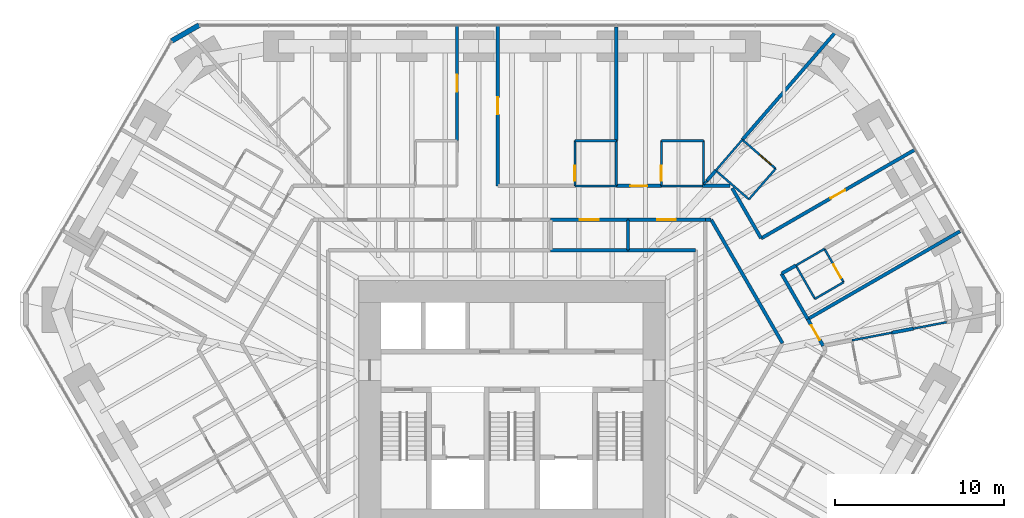
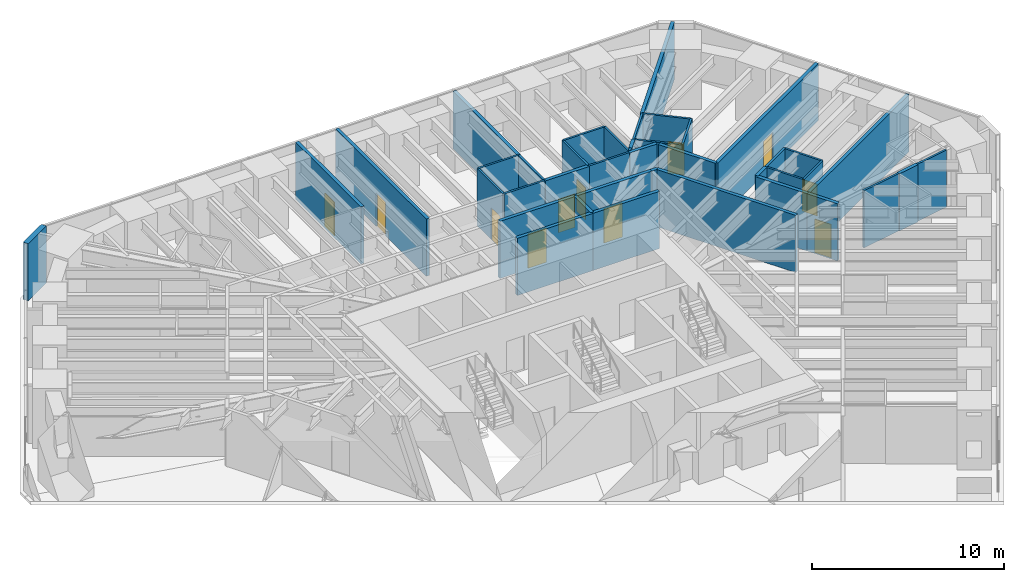
# One storey, part 15 of 17: 41 walls, 11 doors, 11 openings.
"""IFC4 building model written with IfcOpenShell, lengths in metres."""

from ifc_helpers import new_model, si_unit, direction, frame, frame_2d, origin, place, context, subcontext, project, spatial, rectangle, extrude, material, layer, layer_set, type_object, element, fill, save


model = new_model("IFC4")

# Units and contexts
model_context = context("Model", 3, precision=1e-05, world=origin(), true_north=direction((0.0, 1.0)))
body_context = subcontext(model_context, "Body", "Model", "MODEL_VIEW")
ifc_project = project(units=[si_unit("LENGTHUNIT", "METRE"), si_unit("AREAUNIT", "SQUARE_METRE"), si_unit("VOLUMEUNIT", "CUBIC_METRE"), si_unit("PLANEANGLEUNIT", "RADIAN"), si_unit("MASSUNIT", "GRAM", prefix="KILO")], contexts=[model_context])

# Site, building, storey
site_placement = place(None, origin())
site = spatial("IfcSite", under=ifc_project, at=site_placement, CompositionType="ELEMENT")
building_placement = place(site_placement, origin())
building = spatial("IfcBuilding", under=site, at=building_placement, Name="Sandreach Pilgrim Tower", CompositionType="ELEMENT")
storey_placement = place(building_placement, frame((0.0, 0.0, 119.60009765625)))
storey = spatial("IfcBuildingStorey", under=building, at=storey_placement, Name="L29", CompositionType="ELEMENT", Elevation=119.60009765625)

# Wall, opening, door
ifc_material_1 = material(Name="Moisture-resistant gypsum board on steel studs", Category="steel")
ifc_layer_1 = layer(ifc_material_1, 0.1201171875)
ifc_layer_set_1 = layer_set([ifc_layer_1], Name="Bathroom partition 120")
wall_type_1 = type_object("IfcWallType", Name="Bathroom partition 120", PredefinedType="PARTITIONING", material=ifc_layer_set_1)
wall_1_placement = place(storey_placement, frame((3.7099609375, 15.659912109375, 0.0), z_axis=(0.0, 0.0, 1.0), x_axis=(0.0, -1.0, 0.0)))
wall_1 = element("IfcWall", 1, at=wall_1_placement, inside=storey, type_object=wall_type_1, Name="Bathroom partition L29-100", PredefinedType="PARTITIONING", context=body_context, shape_type="SweptSolid", body=[
    extrude(rectangle(XDim=2.669921875, YDim=0.1201171875, at=frame_2d((1.3349609375, 0.0))), origin(), (0.0, 0.0, 1.0), 3.639892578125),
])
opening_1_placement = place(wall_1_placement, frame((1.469970703125, 0.0, 0.0)))
opening_1 = element("IfcOpeningElement", 2, at=opening_1_placement, cuts=wall_1, Name="Opening D09-03B", PredefinedType="OPENING", context=body_context, shape_type="SweptSolid", body=[
    extrude(rectangle(XDim=0.89990234375, YDim=2.030029296875, at=frame_2d((0.449951171875, 1.01513671875))), frame((0.0, 0.06005859375, 0.0), z_axis=(0.0, -1.0, 0.0), x_axis=(1.0, 0.0, 0.0)), (0.0, 0.0, 1.0), 0.1201171875),
])
ifc_material_2 = material(Name="Timber door, steel frame", Category="steel")
door_type_1 = type_object("IfcDoorType", Name="Bathroom door", OperationType="SINGLE_SWING_LEFT", PredefinedType="DOOR", material=ifc_material_2)
door_1_placement = place(opening_1_placement, origin())
door_1 = element("IfcDoor", 3, at=door_1_placement, inside=storey, type_object=door_type_1, Name="Door 2903B", OperationType="SINGLE_SWING_RIGHT", OverallHeight=2.030029296875, OverallWidth=0.89990234375, PredefinedType="DOOR", context=body_context, shape_type="SweptSolid", body=[
    extrude(rectangle(XDim=0.89990234375, YDim=2.030029296875, at=frame_2d((0.449951171875, 1.01513671875))), frame((0.0, 0.02490234375, 0.0), z_axis=(0.0, -1.0, 0.0), x_axis=(1.0, 0.0, 0.0)), (0.0, 0.0, 1.0), 0.050048828125),
])
fill(opening_1, door_1)

# Walls
for number, where, z_axis, x_axis, name in (
    (4, (6.159912109375, 12.989990234375, 0.0), (0.0, 0.0, 1.0), (-1.0, 0.0, 0.0), "Bathroom partition L29-108"),
    (5, (6.159912109375, 15.659912109375, 0.0), (0.0, 0.0, 1.0), (-1.0, 0.0, 0.0), "Bathroom partition L29-109"),
):
    element("IfcWall", number, at=place(storey_placement, frame(where, z_axis=z_axis, x_axis=x_axis)), inside=storey, type_object=wall_type_1, Name=name, PredefinedType="PARTITIONING", context=body_context, shape_type="SweptSolid", body=[
        extrude(rectangle(XDim=2.449951171875, YDim=0.1201171875, at=frame_2d((1.22509765625, 0.0))), origin(), (0.0, 0.0, 1.0), 3.639892578125),
    ])
wall_2_placement = place(storey_placement, frame((6.159912109375, 15.659912109375, 0.0), z_axis=(0.0, 0.0, 1.0), x_axis=(0.0, -1.0, 0.0)))
element("IfcWall", 6, at=wall_2_placement, inside=storey, type_object=wall_type_1, Name="Bathroom partition L29-110", PredefinedType="PARTITIONING", context=body_context, shape_type="SweptSolid", body=[
    extrude(rectangle(XDim=2.669921875, YDim=0.1201171875, at=frame_2d((1.3349609375, 0.0))), origin(), (0.0, 0.0, 1.0), 3.639892578125),
])

# Wall, opening, door
wall_3_placement = place(storey_placement, frame((8.820068359375, 15.659912109375, 0.0), z_axis=(0.0, 0.0, 1.0), x_axis=(0.0, -1.0, 0.0)))
wall_3 = element("IfcWall", 7, at=wall_3_placement, inside=storey, type_object=wall_type_1, Name="Bathroom partition L29-120", PredefinedType="PARTITIONING", context=body_context, shape_type="SweptSolid", body=[
    extrude(rectangle(XDim=2.669921875, YDim=0.1201171875, at=frame_2d((1.3349609375, 0.0))), origin(), (0.0, 0.0, 1.0), 3.639892578125),
])
opening_2_placement = place(wall_3_placement, frame((1.469970703125, 0.0, 0.0)))
opening_2 = element("IfcOpeningElement", 8, at=opening_2_placement, cuts=wall_3, Name="Opening D09-04B", PredefinedType="OPENING", context=body_context, shape_type="SweptSolid", body=[
    extrude(rectangle(XDim=0.89990234375, YDim=2.030029296875, at=frame_2d((0.449951171875, 1.01513671875))), frame((0.0, 0.06005859375, 0.0), z_axis=(0.0, -1.0, 0.0), x_axis=(1.0, 0.0, 0.0)), (0.0, 0.0, 1.0), 0.1201171875),
])
door_2_placement = place(opening_2_placement, origin())
door_2 = element("IfcDoor", 9, at=door_2_placement, inside=storey, type_object=door_type_1, Name="Door 2904B", OperationType="SINGLE_SWING_RIGHT", OverallHeight=2.030029296875, OverallWidth=0.89990234375, PredefinedType="DOOR", context=body_context, shape_type="SweptSolid", body=[
    extrude(rectangle(XDim=0.89990234375, YDim=2.030029296875, at=frame_2d((0.449951171875, 1.01513671875))), frame((0.0, 0.02490234375, 0.0), z_axis=(0.0, -1.0, 0.0), x_axis=(1.0, 0.0, 0.0)), (0.0, 0.0, 1.0), 0.050048828125),
])
fill(opening_2, door_2)

# Walls
wall_4_placement = place(storey_placement, frame((11.25, 12.989990234375, 0.0), z_axis=(0.0, 0.0, 1.0), x_axis=(-1.0, 0.0, 0.0)))
element("IfcWall", 10, at=wall_4_placement, inside=storey, type_object=wall_type_1, Name="Bathroom partition L29-126", PredefinedType="PARTITIONING", context=body_context, shape_type="SweptSolid", body=[
    extrude(rectangle(XDim=2.429931640625, YDim=0.1201171875, at=frame_2d((1.21484375, 0.0))), origin(), (0.0, 0.0, 1.0), 3.639892578125),
])
wall_5_placement = place(storey_placement, frame((11.320068359375, 13.070068359375, 0.0), z_axis=(0.0, 0.0, 1.0), x_axis=(0.0, 1.0, 0.0)))
element("IfcWall", 11, at=wall_5_placement, inside=storey, type_object=wall_type_1, Name="Bathroom partition L29-129", PredefinedType="PARTITIONING", context=body_context, shape_type="SweptSolid", body=[
    extrude(rectangle(XDim=2.58984375, YDim=0.1201171875, at=frame_2d((1.294921875, 0.0))), origin(), (0.0, 0.0, 1.0), 3.639892578125),
])
wall_6_placement = place(storey_placement, frame((11.320068359375, 15.659912109375, 0.0), z_axis=(0.0, 0.0, 1.0), x_axis=(-1.0, 0.0, 0.0)))
element("IfcWall", 12, at=wall_6_placement, inside=storey, type_object=wall_type_1, Name="Bathroom partition L29-130", PredefinedType="PARTITIONING", context=body_context, shape_type="SweptSolid", body=[
    extrude(rectangle(XDim=2.5, YDim=0.1201171875, at=frame_2d((1.25, 0.0))), origin(), (0.0, 0.0, 1.0), 3.639892578125),
])
wall_7_placement = place(storey_placement, frame((11.33642578125, 13.0888671875, 0.0), z_axis=(0.0, 0.0, 1.0), x_axis=(0.65328489719, 0.757112173396, 0.0)))
element("IfcWall", 13, at=wall_7_placement, inside=storey, type_object=wall_type_1, Name="Bathroom partition L29-131", PredefinedType="PARTITIONING", context=body_context, shape_type="SweptSolid", body=[
    extrude(rectangle(XDim=0.265625, YDim=0.1201171875, at=frame_2d((0.1328125, 0.0))), origin(), (0.0, 0.0, 1.0), 3.639892578125),
])
wall_8_placement = place(storey_placement, frame((12.0390625, 13.90087890625, 0.0), z_axis=(0.0, 0.0, 1.0), x_axis=(0.653622514847, 0.756820723874, 0.0)))
element("IfcWall", 14, at=wall_8_placement, inside=storey, type_object=wall_type_1, Name="Bathroom partition L29-137", PredefinedType="PARTITIONING", context=body_context, shape_type="SweptSolid", body=[
    extrude(rectangle(XDim=2.403564453125, YDim=0.1201171875, at=frame_2d((1.20166015625, 0.0))), origin(), (0.0, 0.0, 1.0), 3.639892578125),
])
wall_9_placement = place(storey_placement, frame((12.0400390625, 13.89990234375, 0.0), z_axis=(0.0, 0.0, 1.0), x_axis=(0.755437535555, -0.655220672655, 0.0)))
element("IfcWall", 15, at=wall_9_placement, inside=storey, type_object=wall_type_1, Name="Bathroom partition L29-138", PredefinedType="PARTITIONING", context=body_context, shape_type="SweptSolid", body=[
    extrude(rectangle(XDim=2.594482421875, YDim=0.1201171875, at=frame_2d((1.29736328125, 0.0))), origin(), (0.0, 0.0, 1.0), 3.639892578125),
])
wall_10_placement = place(storey_placement, frame((14.0, 12.199951171875, 0.0), z_axis=(0.0, 0.0, 1.0), x_axis=(0.657626528627, 0.753344110514, 0.0)))
element("IfcWall", 16, at=wall_10_placement, inside=storey, type_object=wall_type_1, Name="Bathroom partition L29-144", PredefinedType="PARTITIONING", context=body_context, shape_type="SweptSolid", body=[
    extrude(rectangle(XDim=2.402587890625, YDim=0.1201171875, at=frame_2d((1.201171875, 0.0))), origin(), (0.0, 0.0, 1.0), 3.639892578125),
])

# Wall, opening, door
wall_11_placement = place(storey_placement, frame((15.580078125, 14.010009765625, 0.0), z_axis=(0.0, 0.0, 1.0), x_axis=(-0.755185511235, 0.655511131576, 0.0)))
wall_11 = element("IfcWall", 17, at=wall_11_placement, inside=storey, type_object=wall_type_1, Name="Bathroom partition L29-148", PredefinedType="PARTITIONING", context=body_context, shape_type="SweptSolid", body=[
    extrude(rectangle(XDim=2.608642578125, YDim=0.1201171875, at=frame_2d((1.30419921875, 0.0))), origin(), (0.0, 0.0, 1.0), 3.639892578125),
])
opening_3_placement = place(wall_11_placement, frame((0.35009765625, 0.0, 0.0)))
opening_3 = element("IfcOpeningElement", 18, at=opening_3_placement, cuts=wall_11, Name="Opening D09-05B", PredefinedType="OPENING", context=body_context, shape_type="SweptSolid", body=[
    extrude(rectangle(XDim=0.89990234375, YDim=2.030029296875, at=frame_2d((0.449951171875, 1.01513671875))), frame((0.0, 0.06005859375, 0.0), z_axis=(0.0, -1.0, 0.0), x_axis=(1.0, 0.0, 0.0)), (0.0, 0.0, 1.0), 0.1201171875),
])
door_3_placement = place(opening_3_placement, origin())
door_3 = element("IfcDoor", 19, at=door_3_placement, inside=storey, type_object=door_type_1, Name="Door 2905B", OperationType="SINGLE_SWING_LEFT", OverallHeight=2.030029296875, OverallWidth=0.89990234375, PredefinedType="DOOR", context=body_context, shape_type="SweptSolid", body=[
    extrude(rectangle(XDim=0.89990234375, YDim=2.030029296875, at=frame_2d((0.449951171875, 1.01513671875))), frame((0.0, 0.02490234375, 0.0), z_axis=(0.0, -1.0, 0.0), x_axis=(1.0, 0.0, 0.0)), (0.0, 0.0, 1.0), 0.050048828125),
])
fill(opening_3, door_3)

# Walls
wall_12_placement = place(storey_placement, frame((16.77001953125, 8.2900390625, 0.0), z_axis=(0.0, 0.0, 1.0), x_axis=(0.497527583083, -0.867448156417, 0.0)))
element("IfcWall", 20, at=wall_12_placement, inside=storey, type_object=wall_type_1, Name="Bathroom partition L29-154", PredefinedType="PARTITIONING", context=body_context, shape_type="SweptSolid", body=[
    extrude(rectangle(XDim=2.27099609375, YDim=0.1201171875, at=frame_2d((1.135498046875, 0.0))), origin(), (0.0, 0.0, 1.0), 3.639892578125),
])
wall_13_placement = place(storey_placement, frame((16.77001953125, 8.2900390625, 0.0), z_axis=(0.0, 0.0, 1.0), x_axis=(0.86507240805, 0.501647016168, 0.0)))
element("IfcWall", 21, at=wall_13_placement, inside=storey, type_object=wall_type_1, Name="Bathroom partition L29-155", PredefinedType="PARTITIONING", context=body_context, shape_type="SweptSolid", body=[
    extrude(rectangle(XDim=1.95361328125, YDim=0.1201171875, at=frame_2d((0.976806640625, 0.0))), origin(), (0.0, 0.0, 1.0), 3.639892578125),
])
wall_14_placement = place(storey_placement, frame((17.89990234375, 6.320068359375, 0.0), z_axis=(0.0, 0.0, 1.0), x_axis=(0.865103852711, 0.501592787055, 0.0)))
element("IfcWall", 22, at=wall_14_placement, inside=storey, type_object=wall_type_1, Name="Bathroom partition L29-159", PredefinedType="PARTITIONING", context=body_context, shape_type="SweptSolid", body=[
    extrude(rectangle(XDim=1.953857421875, YDim=0.1201171875, at=frame_2d((0.97705078125, 0.0))), origin(), (0.0, 0.0, 1.0), 3.639892578125),
])

# Wall, opening, door
wall_15_placement = place(storey_placement, frame((19.590087890625, 7.300048828125, 0.0), z_axis=(0.0, 0.0, 1.0), x_axis=(-0.49760846958, 0.867401758704, 0.0)))
wall_15 = element("IfcWall", 23, at=wall_15_placement, inside=storey, type_object=wall_type_1, Name="Bathroom partition L29-163", PredefinedType="PARTITIONING", context=body_context, shape_type="SweptSolid", body=[
    extrude(rectangle(XDim=2.27099609375, YDim=0.1201171875, at=frame_2d((1.135498046875, 0.0))), origin(), (0.0, 0.0, 1.0), 3.639892578125),
])
opening_4_placement = place(wall_15_placement, frame((0.300048828125, 0.0, 0.0)))
opening_4 = element("IfcOpeningElement", 24, at=opening_4_placement, cuts=wall_15, Name="Opening D09-06B", PredefinedType="OPENING", context=body_context, shape_type="SweptSolid", body=[
    extrude(rectangle(XDim=0.89990234375, YDim=2.030029296875, at=frame_2d((0.449951171875, 1.01513671875))), frame((0.0, 0.06005859375, 0.0), z_axis=(0.0, -1.0, 0.0), x_axis=(1.0, 0.0, 0.0)), (0.0, 0.0, 1.0), 0.1201171875),
])
door_4_placement = place(opening_4_placement, origin())
door_4 = element("IfcDoor", 25, at=door_4_placement, inside=storey, type_object=door_type_1, Name="Door 2906B", OperationType="SINGLE_SWING_LEFT", OverallHeight=2.030029296875, OverallWidth=0.89990234375, PredefinedType="DOOR", context=body_context, shape_type="SweptSolid", body=[
    extrude(rectangle(XDim=0.89990234375, YDim=2.030029296875, at=frame_2d((0.449951171875, 1.01513671875))), frame((0.0, 0.02490234375, 0.0), z_axis=(0.0, -1.0, 0.0), x_axis=(1.0, 0.0, 0.0)), (0.0, 0.0, 1.0), 0.050048828125),
])
fill(opening_4, door_4)

# Walls
wall_16_placement = place(storey_placement, frame((20.090087890625, 3.8701171875, 0.0), z_axis=(0.0, 0.0, 1.0), x_axis=(0.982303859288, 0.187294228499, 0.0)))
element("IfcWall", 26, at=wall_16_placement, inside=storey, type_object=wall_type_1, Name="Bathroom partition L29-165", PredefinedType="PARTITIONING", context=body_context, shape_type="SweptSolid", body=[
    extrude(rectangle(XDim=2.40234375, YDim=0.1201171875, at=frame_2d((1.201171875, 0.0))), origin(), (0.0, 0.0, 1.0), 3.639892578125),
])
wall_17_placement = place(storey_placement, frame((23.7099609375, 4.56005859375, 0.0), z_axis=(0.0, 0.0, 1.0), x_axis=(0.981729772821, 0.190280459207, 0.0)))
element("IfcWall", 27, at=wall_17_placement, inside=storey, type_object=wall_type_1, Name="Bathroom partition L29-170", PredefinedType="PARTITIONING", context=body_context, shape_type="SweptSolid", body=[
    extrude(rectangle(XDim=1.996337890625, YDim=0.1201171875, at=frame_2d((0.998046875, 0.0))), origin(), (0.0, 0.0, 1.0), 3.639892578125),
])

# Wall, opening, door
ifc_material_3 = material(Name="Gypsum board on steel studs, two layers each side", Category="steel")
ifc_layer_2 = layer(ifc_material_3, 0.199951171875)
ifc_layer_set_2 = layer_set([ifc_layer_2], Name="Corridor wall 200")
wall_type_2 = type_object("IfcWallType", Name="Corridor wall 200", PredefinedType="PARTITIONING", material=ifc_layer_set_2)
wall_18_placement = place(storey_placement, frame((-3.25, 22.4599609375, 0.0), z_axis=(0.0, 0.0, 1.0), x_axis=(0.0, -1.0, 0.0)))
wall_18 = element("IfcWall", 28, at=wall_18_placement, inside=storey, type_object=wall_type_2, Name="Corridor wall L29-082", PredefinedType="PARTITIONING", context=body_context, shape_type="SweptSolid", body=[
    extrude(rectangle(XDim=6.800048828125, YDim=0.199951171875, at=frame_2d((3.39990234375, 0.0))), origin(), (0.0, 0.0, 1.0), 3.639892578125),
])
opening_5_placement = place(wall_18_placement, frame((2.89990234375, 0.0, 0.0)))
opening_5 = element("IfcOpeningElement", 29, at=opening_5_placement, cuts=wall_18, Name="Opening D10-02", PredefinedType="OPENING", context=body_context, shape_type="SweptSolid", body=[
    extrude(rectangle(XDim=1.0, YDim=2.1298828125, at=frame_2d((0.5, 1.06494140625))), frame((0.0, 0.10009765625, 0.0), z_axis=(0.0, -1.0, 0.0), x_axis=(1.0, 0.0, 0.0)), (0.0, 0.0, 1.0), 0.199951171875),
])
ifc_material_4 = material(Name="Steel door and frame", Category="steel")
door_type_2 = type_object("IfcDoorType", Name="Guest room entry door", OperationType="SINGLE_SWING_LEFT", PredefinedType="DOOR", material=ifc_material_4)
door_5_placement = place(opening_5_placement, origin())
door_5 = element("IfcDoor", 30, at=door_5_placement, inside=storey, type_object=door_type_2, Name="Door 2902", OperationType="SINGLE_SWING_LEFT", OverallHeight=2.1298828125, OverallWidth=1.0, PredefinedType="DOOR", context=body_context, shape_type="SweptSolid", body=[
    extrude(rectangle(XDim=1.0, YDim=2.1298828125, at=frame_2d((0.5, 1.06494140625))), frame((0.0, 0.02490234375, 0.0), z_axis=(0.0, -1.0, 0.0), x_axis=(1.0, 0.0, 0.0)), (0.0, 0.0, 1.0), 0.050048828125),
])
fill(opening_5, door_5)

wall_19_placement = place(storey_placement, frame((-0.85009765625, 12.989990234375, 0.0), z_axis=(0.0, 0.0, 1.0), x_axis=(0.0, 1.0, 0.0)))
wall_19 = element("IfcWall", 31, at=wall_19_placement, inside=storey, type_object=wall_type_2, Name="Corridor wall L29-091", PredefinedType="PARTITIONING", context=body_context, shape_type="SweptSolid", body=[
    extrude(rectangle(XDim=9.469970703125, YDim=0.199951171875, at=frame_2d((4.73486328125, 0.0))), origin(), (0.0, 0.0, 1.0), 3.639892578125),
])
opening_6_placement = place(wall_19_placement, frame((4.235107421875, 0.0, 0.0)))
opening_6 = element("IfcOpeningElement", 32, at=opening_6_placement, cuts=wall_19, Name="Opening D10-03", PredefinedType="OPENING", context=body_context, shape_type="SweptSolid", body=[
    extrude(rectangle(XDim=1.0, YDim=2.1298828125, at=frame_2d((0.5, 1.06494140625))), frame((0.0, 0.10009765625, 0.0), z_axis=(0.0, -1.0, 0.0), x_axis=(1.0, 0.0, 0.0)), (0.0, 0.0, 1.0), 0.199951171875),
])
door_6_placement = place(opening_6_placement, origin())
door_6 = element("IfcDoor", 33, at=door_6_placement, inside=storey, type_object=door_type_2, Name="Door 2903", OperationType="SINGLE_SWING_LEFT", OverallHeight=2.1298828125, OverallWidth=1.0, PredefinedType="DOOR", context=body_context, shape_type="SweptSolid", body=[
    extrude(rectangle(XDim=1.0, YDim=2.1298828125, at=frame_2d((0.5, 1.06494140625))), frame((0.0, 0.02490234375, 0.0), z_axis=(0.0, -1.0, 0.0), x_axis=(1.0, 0.0, 0.0)), (0.0, 0.0, 1.0), 0.050048828125),
])
fill(opening_6, door_6)

wall_20_placement = place(storey_placement, frame((2.280029296875, 10.989990234375, 0.0), z_axis=(0.0, 0.0, 1.0), x_axis=(1.0, 0.0, 0.0)))
wall_20 = element("IfcWall", 34, at=wall_20_placement, inside=storey, type_object=wall_type_2, Name="Corridor wall L29-096", PredefinedType="PARTITIONING", context=body_context, shape_type="SweptSolid", body=[
    extrude(rectangle(XDim=4.570068359375, YDim=0.199951171875, at=frame_2d((2.28515625, 0.0))), origin(), (0.0, 0.0, 1.0), 3.639892578125),
])
opening_7_placement = place(wall_20_placement, frame((1.735107421875, 0.0, 0.0)))
opening_7 = element("IfcOpeningElement", 35, at=opening_7_placement, cuts=wall_20, Name="Opening D11H-M05", PredefinedType="OPENING", context=body_context, shape_type="SweptSolid", body=[
    extrude(rectangle(XDim=1.10009765625, YDim=2.199951171875, at=frame_2d((0.550048828125, 1.10009765625))), frame((0.0, 0.10009765625, 0.0), z_axis=(0.0, -1.0, 0.0), x_axis=(1.0, 0.0, 0.0)), (0.0, 0.0, 1.0), 0.199951171875),
])
ifc_material_5 = material(Name="Steel door and frame", Category="steel")
door_type_3 = type_object("IfcDoorType", Name="Back of house door", OperationType="SINGLE_SWING_LEFT", PredefinedType="DOOR", material=ifc_material_5)
door_7_placement = place(opening_7_placement, origin())
door_7 = element("IfcDoor", 36, at=door_7_placement, inside=storey, type_object=door_type_3, Name="Door 29M05", OperationType="SINGLE_SWING_LEFT", OverallHeight=2.199951171875, OverallWidth=1.10009765625, PredefinedType="DOOR", context=body_context, shape_type="SweptSolid", body=[
    extrude(rectangle(XDim=1.10009765625, YDim=2.199951171875, at=frame_2d((0.550048828125, 1.10009765625))), frame((0.0, 0.02490234375, 0.0), z_axis=(0.0, -1.0, 0.0), x_axis=(1.0, 0.0, 0.0)), (0.0, 0.0, 1.0), 0.050048828125),
])
fill(opening_7, door_7)

# Wall
wall_21_placement = place(storey_placement, frame((6.85009765625, 9.199951171875, 0.0), z_axis=(0.0, 0.0, 1.0), x_axis=(-1.0, 0.0, 0.0)))
element("IfcWall", 37, at=wall_21_placement, inside=storey, type_object=wall_type_2, Name="Corridor wall L29-113", PredefinedType="PARTITIONING", context=body_context, shape_type="SweptSolid", body=[
    extrude(rectangle(XDim=4.570068359375, YDim=0.199951171875, at=frame_2d((2.28515625, 0.0))), origin(), (0.0, 0.0, 1.0), 3.639892578125),
])

# Wall, opening, door
wall_22_placement = place(storey_placement, frame((6.85009765625, 10.989990234375, 0.0), z_axis=(0.0, 0.0, 1.0), x_axis=(1.0, 0.0, 0.0)))
wall_22 = element("IfcWall", 38, at=wall_22_placement, inside=storey, type_object=wall_type_2, Name="Corridor wall L29-115", PredefinedType="PARTITIONING", context=body_context, shape_type="SweptSolid", body=[
    extrude(rectangle(XDim=4.56982421875, YDim=0.199951171875, at=frame_2d((2.284912109375, 0.0))), origin(), (0.0, 0.0, 1.0), 3.639892578125),
])
opening_8_placement = place(wall_22_placement, frame((1.735107421875, 0.0, 0.0)))
opening_8 = element("IfcOpeningElement", 39, at=opening_8_placement, cuts=wall_22, Name="Opening D11H-M06", PredefinedType="OPENING", context=body_context, shape_type="SweptSolid", body=[
    extrude(rectangle(XDim=1.10009765625, YDim=2.199951171875, at=frame_2d((0.550048828125, 1.10009765625))), frame((0.0, 0.10009765625, 0.0), z_axis=(0.0, -1.0, 0.0), x_axis=(1.0, 0.0, 0.0)), (0.0, 0.0, 1.0), 0.199951171875),
])
door_8_placement = place(opening_8_placement, origin())
door_8 = element("IfcDoor", 40, at=door_8_placement, inside=storey, type_object=door_type_3, Name="Door 29M06", OperationType="SINGLE_SWING_LEFT", OverallHeight=2.199951171875, OverallWidth=1.10009765625, PredefinedType="DOOR", context=body_context, shape_type="SweptSolid", body=[
    extrude(rectangle(XDim=1.10009765625, YDim=2.199951171875, at=frame_2d((0.550048828125, 1.10009765625))), frame((0.0, 0.02490234375, 0.0), z_axis=(0.0, -1.0, 0.0), x_axis=(1.0, 0.0, 0.0)), (0.0, 0.0, 1.0), 0.050048828125),
])
fill(opening_8, door_8)

wall_23_placement = place(storey_placement, frame((8.820068359375, 12.989990234375, 0.0), z_axis=(0.0, 0.0, 1.0), x_axis=(-1.0, 0.0, 0.0)))
wall_23 = element("IfcWall", 41, at=wall_23_placement, inside=storey, type_object=wall_type_2, Name="Corridor wall L29-119", PredefinedType="PARTITIONING", context=body_context, shape_type="SweptSolid", body=[
    extrude(rectangle(XDim=2.66015625, YDim=0.199951171875, at=frame_2d((1.330078125, 0.0))), origin(), (0.0, 0.0, 1.0), 3.639892578125),
])
opening_9_placement = place(wall_23_placement, frame((0.830078125, 0.0, 0.0)))
opening_9 = element("IfcOpeningElement", 42, at=opening_9_placement, cuts=wall_23, Name="Opening D10-04", PredefinedType="OPENING", context=body_context, shape_type="SweptSolid", body=[
    extrude(rectangle(XDim=1.0, YDim=2.1298828125, at=frame_2d((0.5, 1.06494140625))), frame((0.0, 0.10009765625, 0.0), z_axis=(0.0, -1.0, 0.0), x_axis=(1.0, 0.0, 0.0)), (0.0, 0.0, 1.0), 0.199951171875),
])
door_9_placement = place(opening_9_placement, origin())
door_9 = element("IfcDoor", 43, at=door_9_placement, inside=storey, type_object=door_type_2, Name="Door 2904", OperationType="SINGLE_SWING_LEFT", OverallHeight=2.1298828125, OverallWidth=1.0, PredefinedType="DOOR", context=body_context, shape_type="SweptSolid", body=[
    extrude(rectangle(XDim=1.0, YDim=2.1298828125, at=frame_2d((0.5, 1.06494140625))), frame((0.0, 0.02490234375, 0.0), z_axis=(0.0, -1.0, 0.0), x_axis=(1.0, 0.0, 0.0)), (0.0, 0.0, 1.0), 0.050048828125),
])
fill(opening_9, door_9)

# Walls
wall_24_placement = place(storey_placement, frame((10.840087890625, 9.199951171875, 0.0), z_axis=(0.0, 0.0, 1.0), x_axis=(-1.0, 0.0, 0.0)))
element("IfcWall", 44, at=wall_24_placement, inside=storey, type_object=wall_type_2, Name="Corridor wall L29-124", PredefinedType="PARTITIONING", context=body_context, shape_type="SweptSolid", body=[
    extrude(rectangle(XDim=3.989990234375, YDim=0.199951171875, at=frame_2d((1.9951171875, 0.0))), origin(), (0.0, 0.0, 1.0), 3.639892578125),
])
wall_25_placement = place(storey_placement, frame((11.419921875, 10.989990234375, 0.0), z_axis=(0.0, 0.0, 1.0), x_axis=(1.0, 0.0, 0.0)))
element("IfcWall", 45, at=wall_25_placement, inside=storey, type_object=wall_type_2, Name="Corridor wall L29-134", PredefinedType="PARTITIONING", context=body_context, shape_type="SweptSolid", body=[
    extrude(rectangle(XDim=0.35009765625, YDim=0.199951171875, at=frame_2d((0.175048828125, 0.0))), origin(), (0.0, 0.0, 1.0), 3.639892578125),
])
wall_26_placement = place(storey_placement, frame((11.77001953125, 10.989990234375, 0.0), z_axis=(0.0, 0.0, 1.0), x_axis=(0.500093981358, -0.865971136822, 0.0)))
element("IfcWall", 46, at=wall_26_placement, inside=storey, type_object=wall_type_2, Name="Corridor wall L29-136", PredefinedType="PARTITIONING", context=body_context, shape_type="SweptSolid", body=[
    extrude(rectangle(XDim=8.41845703125, YDim=0.199951171875, at=frame_2d((4.209228515625, 0.0))), origin(), (0.0, 0.0, 1.0), 3.639892578125),
])
wall_27_placement = place(storey_placement, frame((12.885009765625, 12.989990234375, 0.0), z_axis=(0.0, 0.0, 1.0), x_axis=(-1.0, 0.0, 0.0)))
element("IfcWall", 47, at=wall_27_placement, inside=storey, type_object=wall_type_2, Name="Corridor wall L29-140", PredefinedType="PARTITIONING", context=body_context, shape_type="SweptSolid", body=[
    extrude(rectangle(XDim=1.635009765625, YDim=0.199951171875, at=frame_2d((0.8173828125, 0.0))), origin(), (0.0, 0.0, 1.0), 3.639892578125),
])
wall_28_placement = place(storey_placement, frame((13.005126953125, 12.860107421875, 0.0), z_axis=(0.0, 0.0, 1.0), x_axis=(0.500007161152, -0.866021269252, 0.0)))
element("IfcWall", 48, at=wall_28_placement, inside=storey, type_object=wall_type_2, Name="Corridor wall L29-142", PredefinedType="PARTITIONING", context=body_context, shape_type="SweptSolid", body=[
    extrude(rectangle(XDim=3.41455078125, YDim=0.199951171875, at=frame_2d((1.707275390625, 0.0))), origin(), (0.0, 0.0, 1.0), 3.639892578125),
])
wall_29_placement = place(storey_placement, frame((15.919921875, 7.81005859375, 0.0), z_axis=(0.0, 0.0, 1.0), x_axis=(0.499277611559, -0.866442073422, 0.0)))
element("IfcWall", 49, at=wall_29_placement, inside=storey, type_object=wall_type_2, Name="Corridor wall L29-149", PredefinedType="PARTITIONING", context=body_context, shape_type="SweptSolid", body=[
    extrude(rectangle(XDim=3.1044921875, YDim=0.199951171875, at=frame_2d((1.55224609375, 0.0))), origin(), (0.0, 0.0, 1.0), 3.639892578125),
])
wall_30_placement = place(storey_placement, frame((15.93310546875, 7.8173828125, 0.0), z_axis=(0.0, 0.0, 1.0), x_axis=(0.870733094426, 0.491755913305, 0.0)))
element("IfcWall", 50, at=wall_30_placement, inside=storey, type_object=wall_type_2, Name="Corridor wall L29-150", PredefinedType="PARTITIONING", context=body_context, shape_type="SweptSolid", body=[
    extrude(rectangle(XDim=0.961181640625, YDim=0.199951171875, at=frame_2d((0.48046875, 0.0))), origin(), (0.0, 0.0, 1.0), 3.639892578125),
])

# Wall, opening, door
wall_31_placement = place(storey_placement, frame((17.469970703125, 5.1201171875, 0.0), z_axis=(0.0, 0.0, 1.0), x_axis=(0.501536229379, -0.865136642745, 0.0)))
wall_31 = element("IfcWall", 51, at=wall_31_placement, inside=storey, type_object=wall_type_2, Name="Corridor wall L29-157", PredefinedType="PARTITIONING", context=body_context, shape_type="SweptSolid", body=[
    extrude(rectangle(XDim=1.828369140625, YDim=0.199951171875, at=frame_2d((0.9140625, 0.0))), origin(), (0.0, 0.0, 1.0), 3.639892578125),
])
opening_10_placement = place(wall_31_placement, frame((0.414306640625, 0.0, 0.0)))
opening_10 = element("IfcOpeningElement", 52, at=opening_10_placement, cuts=wall_31, Name="Opening D10-07", PredefinedType="OPENING", context=body_context, shape_type="SweptSolid", body=[
    extrude(rectangle(XDim=1.0, YDim=2.1298828125, at=frame_2d((0.5, 1.06494140625))), frame((0.0, 0.10009765625, 0.0), z_axis=(0.0, -1.0, 0.0), x_axis=(1.0, 0.0, 0.0)), (0.0, 0.0, 1.0), 0.199951171875),
])
door_10_placement = place(opening_10_placement, origin())
door_10 = element("IfcDoor", 53, at=door_10_placement, inside=storey, type_object=door_type_2, Name="Door 2907", OperationType="SINGLE_SWING_LEFT", OverallHeight=2.1298828125, OverallWidth=1.0, PredefinedType="DOOR", context=body_context, shape_type="SweptSolid", body=[
    extrude(rectangle(XDim=1.0, YDim=2.1298828125, at=frame_2d((0.5, 1.06494140625))), frame((0.0, 0.02490234375, 0.0), z_axis=(0.0, -1.0, 0.0), x_axis=(1.0, 0.0, 0.0)), (0.0, 0.0, 1.0), 0.050048828125),
])
fill(opening_10, door_10)

wall_32_placement = place(storey_placement, frame((23.7939453125, 15.125, 0.0), z_axis=(0.0, 0.0, 1.0), x_axis=(-0.866190629897, -0.499713710718, 0.0)))
wall_32 = element("IfcWall", 54, at=wall_32_placement, inside=storey, type_object=wall_type_2, Name="Corridor wall L29-171", PredefinedType="PARTITIONING", context=body_context, shape_type="SweptSolid", body=[
    extrude(rectangle(XDim=10.475830078125, YDim=0.199951171875, at=frame_2d((5.23779296875, 0.0))), origin(), (0.0, 0.0, 1.0), 3.639892578125),
])
opening_11_placement = place(wall_32_placement, frame((4.73779296875, 0.0, 0.0)))
opening_11 = element("IfcOpeningElement", 55, at=opening_11_placement, cuts=wall_32, Name="Opening D10-05", PredefinedType="OPENING", context=body_context, shape_type="SweptSolid", body=[
    extrude(rectangle(XDim=1.0, YDim=2.1298828125, at=frame_2d((0.5, 1.06494140625))), frame((0.0, 0.10009765625, 0.0), z_axis=(0.0, -1.0, 0.0), x_axis=(1.0, 0.0, 0.0)), (0.0, 0.0, 1.0), 0.199951171875),
])
door_11_placement = place(opening_11_placement, origin())
door_11 = element("IfcDoor", 56, at=door_11_placement, inside=storey, type_object=door_type_2, Name="Door 2905", OperationType="SINGLE_SWING_LEFT", OverallHeight=2.1298828125, OverallWidth=1.0, PredefinedType="DOOR", context=body_context, shape_type="SweptSolid", body=[
    extrude(rectangle(XDim=1.0, YDim=2.1298828125, at=frame_2d((0.5, 1.06494140625))), frame((0.0, 0.02490234375, 0.0), z_axis=(0.0, -1.0, 0.0), x_axis=(1.0, 0.0, 0.0)), (0.0, 0.0, 1.0), 0.050048828125),
])
fill(opening_11, door_11)

# Walls
ifc_material_6 = material(Name="Double steel stud acoustic wall, gypsum board", Category="steel")
ifc_layer_3 = layer(ifc_material_6, 0.199951171875)
ifc_layer_set_3 = layer_set([ifc_layer_3], Name="Party wall 200")
wall_type_3 = type_object("IfcWallType", Name="Party wall 200", PredefinedType="PARTITIONING", material=ifc_layer_set_3)
wall_33_placement = place(storey_placement, frame((6.159912109375, 22.3701171875, 0.0), z_axis=(0.0, 0.0, 1.0), x_axis=(0.0, -1.0, 0.0)))
element("IfcWall", 57, at=wall_33_placement, inside=storey, type_object=wall_type_3, Name="Party wall L29-111", PredefinedType="PARTITIONING", context=body_context, shape_type="SweptSolid", body=[
    extrude(rectangle(XDim=6.710205078125, YDim=0.199951171875, at=frame_2d((3.35498046875, 0.0))), origin(), (0.0, 0.0, 1.0), 3.639892578125),
])
wall_34_placement = place(storey_placement, frame((6.85009765625, 10.97998046875, 0.0), z_axis=(0.0, 0.0, 1.0), x_axis=(0.0, -1.0, 0.0)))
element("IfcWall", 58, at=wall_34_placement, inside=storey, type_object=wall_type_3, Name="Party wall L29-114", PredefinedType="PARTITIONING", context=body_context, shape_type="SweptSolid", body=[
    extrude(rectangle(XDim=1.77001953125, YDim=0.199951171875, at=frame_2d((0.885009765625, 0.0))), origin(), (0.0, 0.0, 1.0), 3.639892578125),
])
wall_35_placement = place(storey_placement, frame((11.510009765625, 13.2900390625, 0.0), z_axis=(0.0, 0.0, 1.0), x_axis=(0.655976713225, 0.754781128345, 0.0)))
element("IfcWall", 59, at=wall_35_placement, inside=storey, type_object=wall_type_3, Name="Party wall L29-135", PredefinedType="PARTITIONING", context=body_context, shape_type="SweptSolid", body=[
    extrude(rectangle(XDim=0.80810546875, YDim=0.199951171875, at=frame_2d((0.404052734375, 0.0))), origin(), (0.0, 0.0, 1.0), 3.639892578125),
])
wall_36_placement = place(storey_placement, frame((13.610107421875, 15.719970703125, 0.0), z_axis=(0.0, 0.0, 1.0), x_axis=(0.654752892245, 0.75584300625, 0.0)))
element("IfcWall", 60, at=wall_36_placement, inside=storey, type_object=wall_type_3, Name="Party wall L29-143", PredefinedType="PARTITIONING", context=body_context, shape_type="SweptSolid", body=[
    extrude(rectangle(XDim=8.476806640625, YDim=0.199951171875, at=frame_2d((4.23828125, 0.0))), origin(), (0.0, 0.0, 1.0), 3.639892578125),
])
wall_37_placement = place(storey_placement, frame((22.449951171875, 4.320068359375, 0.0), z_axis=(0.0, 0.0, 1.0), x_axis=(0.982340232372, 0.187103361446, 0.0)))
element("IfcWall", 61, at=wall_37_placement, inside=storey, type_object=wall_type_3, Name="Party wall L29-167", PredefinedType="PARTITIONING", context=body_context, shape_type="SweptSolid", body=[
    extrude(rectangle(XDim=1.28271484375, YDim=0.199951171875, at=frame_2d((0.641357421875, 0.0))), origin(), (0.0, 0.0, 1.0), 3.639892578125),
])
wall_38_placement = place(storey_placement, frame((26.466064453125, 10.31005859375, 0.0), z_axis=(0.0, 0.0, 1.0), x_axis=(-0.866184410312, -0.499724491428, 0.0)))
element("IfcWall", 62, at=wall_38_placement, inside=storey, type_object=wall_type_3, Name="Party wall L29-176", PredefinedType="PARTITIONING", context=body_context, shape_type="SweptSolid", body=[
    extrude(rectangle(XDim=10.370849609375, YDim=0.199951171875, at=frame_2d((5.185546875, 0.0))), origin(), (0.0, 0.0, 1.0), 3.639892578125),
])
ifc_material_7 = material(Name="Terracotta rainscreen on concrete", Category="masonry")
ifc_layer_4 = layer(ifc_material_7, 0.300048828125)
ifc_layer_set_4 = layer_set([ifc_layer_4], Name="Terracotta chamfer pier")
wall_type_4 = type_object("IfcWallType", Name="Terracotta chamfer pier", PredefinedType="SOLIDWALL", material=ifc_layer_set_4)
wall_39_placement = place(storey_placement, frame((-20.109619140625, 21.5537109375, 0.0), z_axis=(0.0, 0.0, 1.0), x_axis=(0.865988793993, 0.500063404658, 0.0)))
element("IfcWall", 63, at=wall_39_placement, inside=storey, type_object=wall_type_4, Name="Chamfer pier L29 NW", PredefinedType="SOLIDWALL", context=body_context, shape_type="SweptSolid", body=[
    extrude(rectangle(XDim=1.880126953125, YDim=0.300048828125, at=frame_2d((0.93994140625, 0.0))), origin(), (0.0, 0.0, 1.0), 3.639892578125),
])

save(model, "model.ifc")
